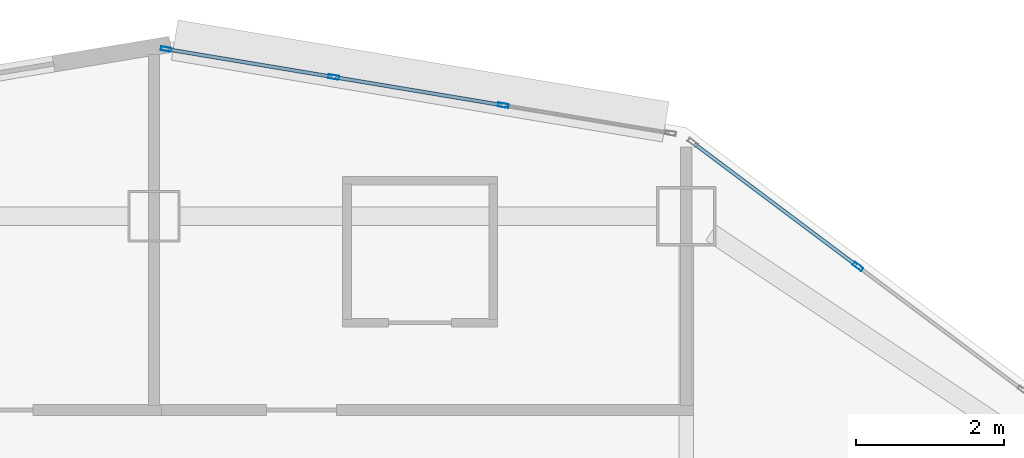
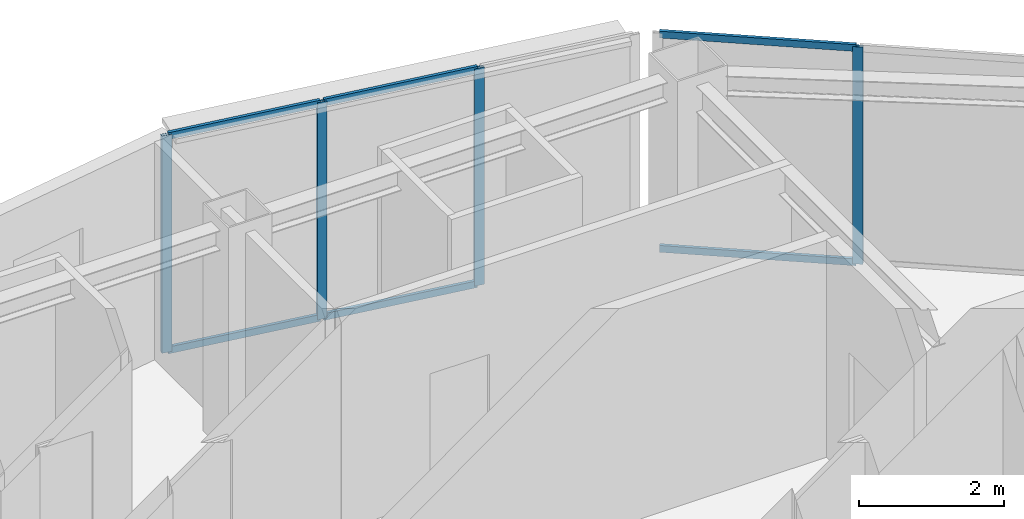
# One storey, part 2 of 11: 10 members, 2 elements without a shape of their own.
"""IFC4 building model written with IfcOpenShell, lengths in metres."""

from ifc_helpers import new_model, si_unit, direction, frame, origin, origin_2d, place, context, subcontext, project, spatial, hollow_rectangle, extrude, material, layer, layer_set, material_profile, profile_set, type_object, element, aggregate, save


model = new_model("IFC4")

# Units and contexts
model_context = context("Model", 3, precision=1e-05, world=origin(), true_north=direction((0.0, 1.0)))
body_context = subcontext(model_context, "Body", "Model", "MODEL_VIEW")
ifc_project = project(units=[si_unit("LENGTHUNIT", "METRE"), si_unit("AREAUNIT", "SQUARE_METRE"), si_unit("VOLUMEUNIT", "CUBIC_METRE"), si_unit("PLANEANGLEUNIT", "RADIAN"), si_unit("MASSUNIT", "GRAM", prefix="KILO")], contexts=[model_context])

# Site, building, storey
site_placement = place(None, origin())
site = spatial("IfcSite", under=ifc_project, at=site_placement, CompositionType="ELEMENT")
building_placement = place(site_placement, origin())
building = spatial("IfcBuilding", under=site, at=building_placement, Name="Haolan Belvedere Tower", CompositionType="ELEMENT")
storey_placement = place(building_placement, frame((0.0, 0.0, 250.60009765625)))
storey = spatial("IfcBuildingStorey", under=building, at=storey_placement, Name="L63", CompositionType="ELEMENT", Elevation=250.60009765625)

# Curtain wall, member
ifc_material_1 = material(Name="Anodised champagne-silver aluminium 6063-T6 and Low-E glass", Category="aluminium")
ifc_layer = layer(ifc_material_1, 0.14501953125, Name="Anodised champagne-silver aluminium 6063-T6 and Low-E glass")
ifc_layer_set = layer_set([ifc_layer], Name="Anodised champagne-silver aluminium 6063-T6 and Low-E glass")
curtain_wall_type = type_object("IfcCurtainWallType", Name="CW-SYS-05", PredefinedType="NOTDEFINED", material=ifc_layer_set)
curtain_wall_1_placement = place(storey_placement, origin())
curtain_wall_1 = element("IfcCurtainWall", 1, at=curtain_wall_1_placement, inside=storey, type_object=curtain_wall_type, Name="L63 CW-SYS-05 ribbon curtain wall 8.1", PredefinedType="NOTDEFINED")
ifc_material_2 = material(Name="Anodised aluminium 6063-T6", Category="aluminium")
ifc_material_profile_1 = material_profile(ifc_material_2, hollow_rectangle(XDim=0.053955078125, YDim=0.14501953125, WallThickness=0.00390625, at=origin_2d()), Name="Anodised aluminium 6063-T6")
ifc_profile_set_1 = profile_set([ifc_material_profile_1], Name="Anodised aluminium 6063-T6")
member_type_1 = type_object("IfcMemberType", Name="CW-SYS-05-MUL", PredefinedType="MULLION", material=ifc_profile_set_1)
member_1_placement = place(storey_placement, frame((47.9228515625, 49.720458984375, 0.0), z_axis=(0.0, 0.0, 1.0), x_axis=(-0.600002837806, -0.799997871638, 0.0)))
member_1 = element("IfcMember", 2, at=member_1_placement, type_object=member_type_1, Name="CW-05 mullion 2", PredefinedType="MULLION", context=body_context, shape_type="SweptSolid", body=[
    extrude(hollow_rectangle(XDim=0.053955078125, YDim=0.14501953125, WallThickness=0.00390625, at=origin_2d()), origin(), (0.0, 0.0, 1.0), 3.669921875),
])

# Curtain wall, members
curtain_wall_2_placement = place(storey_placement, origin())
curtain_wall_2 = element("IfcCurtainWall", 3, at=curtain_wall_2_placement, inside=storey, type_object=curtain_wall_type, Name="L63 CW-SYS-05 ribbon curtain wall 9.1", PredefinedType="NOTDEFINED")
member_2_placement = place(storey_placement, frame((43.124267578125, 51.901123046875, 0.0), z_axis=(0.0, 0.0, 1.0), x_axis=(-0.164405962825, -0.98639276122, 0.0)))
member_2 = element("IfcMember", 4, at=member_2_placement, type_object=member_type_1, Name="CW-05 mullion 2", PredefinedType="MULLION", context=body_context, shape_type="SweptSolid", body=[
    extrude(hollow_rectangle(XDim=0.053955078125, YDim=0.14501953125, WallThickness=0.00390625, at=origin_2d()), origin(), (0.0, 0.0, 1.0), 3.669921875),
])
member_3_placement = place(storey_placement, frame((40.831298828125, 52.283203125, 0.0), z_axis=(0.0, 0.0, 1.0), x_axis=(-0.164405962825, -0.98639276122, 0.0)))
member_3 = element("IfcMember", 5, at=member_3_placement, type_object=member_type_1, Name="CW-05 mullion 3", PredefinedType="MULLION", context=body_context, shape_type="SweptSolid", body=[
    extrude(hollow_rectangle(XDim=0.053955078125, YDim=0.14501953125, WallThickness=0.00390625, at=origin_2d()), origin(), (0.0, 0.0, 1.0), 3.669921875),
])
member_4_placement = place(storey_placement, frame((38.564697265625, 52.6611328125, 0.0), z_axis=(0.0, 0.0, 1.0), x_axis=(-0.164405962825, -0.98639276122, 0.0)))
member_4 = element("IfcMember", 6, at=member_4_placement, type_object=member_type_1, Name="CW-05 mullion 4", PredefinedType="MULLION", context=body_context, shape_type="SweptSolid", body=[
    extrude(hollow_rectangle(XDim=0.053955078125, YDim=0.14501953125, WallThickness=0.00390625, at=origin_2d()), origin(), (0.0, 0.0, 1.0), 3.669921875),
])

# Member
ifc_material_profile_2 = material_profile(ifc_material_2, hollow_rectangle(XDim=0.050048828125, YDim=0.114990234375, WallThickness=0.00390625, at=origin_2d()), Name="Anodised aluminium 6063-T6")
ifc_profile_set_2 = profile_set([ifc_material_profile_2], Name="Anodised aluminium 6063-T6")
member_type_2 = type_object("IfcMemberType", Name="CW-SYS-05-TRN", PredefinedType="USERDEFINED", material=ifc_profile_set_2)
member_5_placement = place(storey_placement, frame((47.901123046875, 49.736572265625, 0.02490234375), z_axis=(-0.8, 0.6, 0.0), x_axis=(-0.6, -0.8, 0.0)))
member_5 = element("IfcMember", 7, at=member_5_placement, type_object=member_type_2, Name="CW-05 transom 2.1", ObjectType="TRANSOM", PredefinedType="USERDEFINED", context=body_context, shape_type="SweptSolid", body=[
    extrude(hollow_rectangle(XDim=0.050048828125, YDim=0.114990234375, WallThickness=0.00390625, at=origin_2d()), origin(), (0.0, 0.0, 1.0), 2.738037109375),
])

member_6_placement = place(storey_placement, frame((47.901123046875, 49.736572265625, 3.64501953125), z_axis=(-0.8, 0.6, 0.0), x_axis=(-0.6, -0.8, 0.0)))
member_6 = element("IfcMember", 8, at=member_6_placement, type_object=member_type_2, Name="CW-05 transom 2.2", ObjectType="TRANSOM", PredefinedType="USERDEFINED", context=body_context, shape_type="SweptSolid", body=[
    extrude(hollow_rectangle(XDim=0.050048828125, YDim=0.114990234375, WallThickness=0.00390625, at=origin_2d()), origin(), (0.0, 0.0, 1.0), 2.738037109375),
])

aggregate(curtain_wall_1, [member_1, member_5, member_6])

member_7_placement = place(storey_placement, frame((43.09765625, 51.905517578125, 0.02490234375), z_axis=(-0.986393923832, 0.164398987305, 0.0), x_axis=(-0.164398987305, -0.986393923832, 0.0)))
member_7 = element("IfcMember", 9, at=member_7_placement, type_object=member_type_2, Name="CW-05 transom 2.1", ObjectType="TRANSOM", PredefinedType="USERDEFINED", context=body_context, shape_type="SweptSolid", body=[
    extrude(hollow_rectangle(XDim=0.050048828125, YDim=0.114990234375, WallThickness=0.00390625, at=origin_2d()), origin(), (0.0, 0.0, 1.0), 2.270751953125),
])

member_8_placement = place(storey_placement, frame((43.09765625, 51.905517578125, 3.64501953125), z_axis=(-0.986393923832, 0.164398987305, 0.0), x_axis=(-0.164398987305, -0.986393923832, 0.0)))
member_8 = element("IfcMember", 10, at=member_8_placement, type_object=member_type_2, Name="CW-05 transom 2.2", ObjectType="TRANSOM", PredefinedType="USERDEFINED", context=body_context, shape_type="SweptSolid", body=[
    extrude(hollow_rectangle(XDim=0.050048828125, YDim=0.114990234375, WallThickness=0.00390625, at=origin_2d()), origin(), (0.0, 0.0, 1.0), 2.270751953125),
])

member_9_placement = place(storey_placement, frame((40.8046875, 52.287841796875, 0.02490234375), z_axis=(-0.986393923832, 0.164398987305, 0.0), x_axis=(-0.164398987305, -0.986393923832, 0.0)))
member_9 = element("IfcMember", 11, at=member_9_placement, type_object=member_type_2, Name="CW-05 transom 3.1", ObjectType="TRANSOM", PredefinedType="USERDEFINED", context=body_context, shape_type="SweptSolid", body=[
    extrude(hollow_rectangle(XDim=0.050048828125, YDim=0.114990234375, WallThickness=0.00390625, at=origin_2d()), origin(), (0.0, 0.0, 1.0), 2.243896484375),
])

member_10_placement = place(storey_placement, frame((40.8046875, 52.287841796875, 3.64501953125), z_axis=(-0.986393923832, 0.164398987305, 0.0), x_axis=(-0.164398987305, -0.986393923832, 0.0)))
member_10 = element("IfcMember", 12, at=member_10_placement, type_object=member_type_2, Name="CW-05 transom 3.2", ObjectType="TRANSOM", PredefinedType="USERDEFINED", context=body_context, shape_type="SweptSolid", body=[
    extrude(hollow_rectangle(XDim=0.050048828125, YDim=0.114990234375, WallThickness=0.00390625, at=origin_2d()), origin(), (0.0, 0.0, 1.0), 2.243896484375),
])

aggregate(curtain_wall_2, [member_2, member_3, member_4, member_7, member_8, member_9, member_10])

save(model, "model.ifc")
